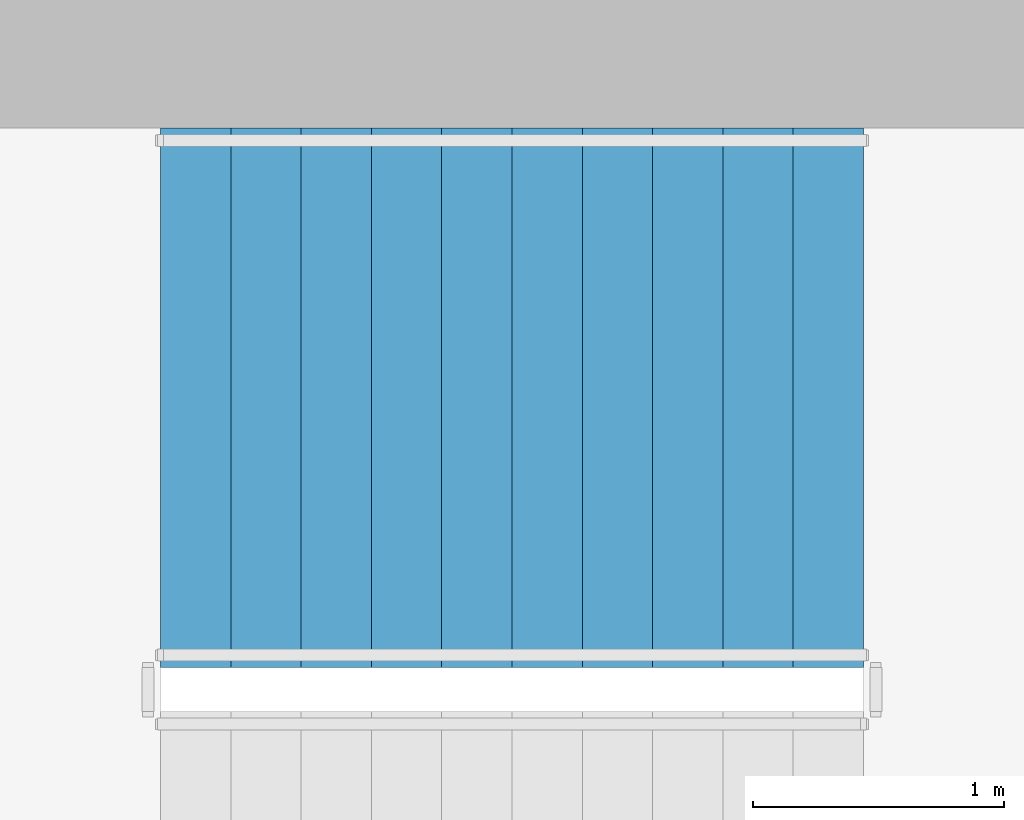
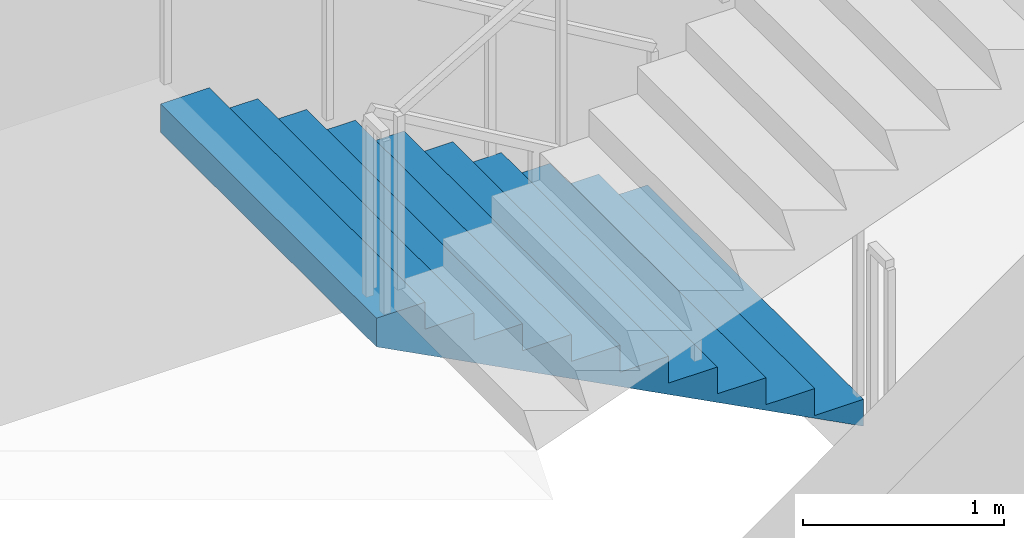
# One storey, part 11 of 19: 1 stair flight, 1 element without a shape of its own.
"""IFC4 building model written with IfcOpenShell, lengths in metres."""

import ifcopenshell
import ifcopenshell.guid

model = None  # the IFC model being written
_history = None  # IfcOwnerHistory: only IFC2X3 demands one
_inside = {}  # id of a spatial element -> (the spatial element, [elements in it])
_under = {}  # id of a project, library or spatial element -> (it, [spatial elements below it])
_declared = {}  # id of a project -> (the project, [libraries it declares])
_typed = {}  # id of a type object -> (the type object, [elements of that type])
_made_of = {}  # id of a material, layer set ... -> (it, [elements and type objects made of it])


def new_model(schema):
    """Start an empty IFC model of exactly this schema.

    Asked for "IFC4X3", IfcOpenShell would pick the latest addendum, in which some entities
    have other attributes; the version numbers below select the first issue.
    IFC2X3 requires an IfcOwnerHistory on every rooted entity: one is made here for all.
    """
    global model, _history
    if schema == "IFC4X3":
        model = ifcopenshell.file(schema_version=(4, 3, 0, 0))
    else:
        model = ifcopenshell.file(schema=schema)
    _inside.clear()
    _under.clear()
    _declared.clear()
    _typed.clear()
    _made_of.clear()
    _history = None
    if model.schema == "IFC2X3":
        org = make("IfcOrganization", Name="unknown")
        user = make(
            "IfcPersonAndOrganization",
            ThePerson=make("IfcPerson", FamilyName="unknown"),
            TheOrganization=org,
        )
        app = make(
            "IfcApplication",
            ApplicationDeveloper=org,
            Version="unknown",
            ApplicationFullName="unknown",
            ApplicationIdentifier="unknown",
        )
        _history = make(
            "IfcOwnerHistory",
            OwningUser=user,
            OwningApplication=app,
            ChangeAction="ADDED",
            CreationDate=0,
        )
    return model


def make(cls, **values):
    """One entity of the class cls with the attributes given. An attribute that is None is left unset."""
    return model.create_entity(
        cls, **{name: value for name, value in values.items() if value is not None}
    )


def rooted(cls, **values):
    """An entity with a GlobalId (a new one), such as an element, a storey or a relation."""
    return make(cls, GlobalId=ifcopenshell.guid.new(), OwnerHistory=_history, **values)


def si_unit(unit_type, name, prefix=None):
    """IfcSIUnit, for example si_unit("LENGTHUNIT", "METRE", prefix="MILLI")."""
    return make("IfcSIUnit", UnitType=unit_type, Prefix=prefix, Name=name)


def assignment(units):
    """IfcUnitAssignment: the units of a project."""
    return None if units is None else make("IfcUnitAssignment", Units=units)


def point(xyz):
    """IfcCartesianPoint."""
    return None if xyz is None else make("IfcCartesianPoint", Coordinates=xyz)


def direction(xyz):
    """IfcDirection."""
    return None if xyz is None else make("IfcDirection", DirectionRatios=xyz)


def frame(location, z_axis=None, x_axis=None):
    """IfcAxis2Placement3D, a coordinate frame: its origin and axes. An axis left out is left unset."""
    return make(
        "IfcAxis2Placement3D",
        Location=point(location),
        Axis=direction(z_axis),
        RefDirection=direction(x_axis),
    )


def origin():
    """The frame at (0, 0, 0) with its axes left unset."""
    return frame((0.0, 0.0, 0.0))


def place(relative_to, where):
    """IfcLocalPlacement: puts the frame where relative to a parent placement (None: the world)."""
    return make(
        "IfcLocalPlacement", PlacementRelTo=relative_to, RelativePlacement=where
    )


def context(
    kind, dimensions, precision=None, world=None, true_north=None, identifier=None
):
    """IfcGeometricRepresentationContext, for example the 3D "Model" context."""
    return make(
        "IfcGeometricRepresentationContext",
        ContextIdentifier=identifier,
        ContextType=kind,
        CoordinateSpaceDimension=dimensions,
        Precision=precision,
        WorldCoordinateSystem=world,
        TrueNorth=true_north,
    )


def subcontext(parent, identifier, kind, view, scale=None):
    """IfcGeometricRepresentationSubContext, for example "Body" below "Model"."""
    return make(
        "IfcGeometricRepresentationSubContext",
        ContextIdentifier=identifier,
        ContextType=kind,
        ParentContext=parent,
        TargetScale=scale,
        TargetView=view,
    )


def project(units=None, contexts=None):
    """IfcProject with its units and contexts."""
    return rooted(
        "IfcProject",
        Name="project",
        RepresentationContexts=contexts,
        UnitsInContext=assignment(units),
    )


def spatial(cls, under=None, at=None, **own):
    """A site, building, storey or space (cls), placed at a placement, below another one or the project."""
    s = rooted(cls, ObjectPlacement=at, **own)
    if under is not None:
        _under.setdefault(under.id(), (under, []))[1].append(s)
    return s


def point_list(points):
    """IfcCartesianPointList2D or 3D."""
    cls = (
        "IfcCartesianPointList2D" if len(points[0]) == 2 else "IfcCartesianPointList3D"
    )
    return make(cls, CoordList=points)


def triangles(points, corners, closed=None, point_numbers=None):
    """IfcTriangulatedFaceSet: each triangle names its three corners, points numbered from 1."""
    return make(
        "IfcTriangulatedFaceSet",
        Coordinates=point_list(points),
        Closed=closed,
        CoordIndex=corners,
        PnIndex=point_numbers,
    )


def shape(context_of_items, identifier, shape_type, items):
    """IfcShapeRepresentation: the items that make up one representation, for example the "Body"."""
    return make(
        "IfcShapeRepresentation",
        ContextOfItems=context_of_items,
        RepresentationIdentifier=identifier,
        RepresentationType=shape_type,
        Items=items,
    )


def material(Name=None, Category=None):
    """IfcMaterial."""
    return make("IfcMaterial", Name=Name, Category=Category)


def made_of(thing, what):
    """Note that an element or type object is made of a material, layer set ...; save() writes the relation."""
    if what is not None:
        _made_of.setdefault(what.id(), (what, []))[1].append(thing)
    return thing


def type_object(cls, material=None, **own):
    """A type object (cls), such as IfcWallType, which elements share."""
    return made_of(rooted(cls, **own), material)


def element(
    cls,
    number,
    at=None,
    inside=None,
    cuts=None,
    type_object=None,
    material=None,
    context=None,
    identifier="Body",
    shape_type=None,
    held_by="IfcProductDefinitionShape",
    body=None,
    shapes=None,
    **own,
):
    """One element of the class cls, such as IfcWall. Its Tag is "e" and its number.

    at: its placement. inside: the storey or other place that contains it. cuts: it is an
    opening in that element (IfcRelVoidsElement). A single representation is given by context,
    identifier, shape_type and body (its items); several are given by shapes. held_by: the class
    of the entity that holds the representations. save() writes the other relations.
    """
    e = rooted(cls, Tag="e%d" % number, ObjectPlacement=at, **own)
    if body is not None:
        shapes = [shape(context, identifier, shape_type, body)]
    if shapes is not None:
        e.Representation = make(held_by, Representations=shapes)
    if inside is not None:
        _inside.setdefault(inside.id(), (inside, []))[1].append(e)
    if cuts is not None:
        rooted(
            "IfcRelVoidsElement", RelatingBuildingElement=cuts, RelatedOpeningElement=e
        )
    if type_object is not None:
        _typed.setdefault(type_object.id(), (type_object, []))[1].append(e)
    return made_of(e, material)


def aggregate(whole, parts):
    """IfcRelAggregates: a whole, such as a stair, and the parts it consists of."""
    return rooted("IfcRelAggregates", RelatingObject=whole, RelatedObjects=parts)


def save(model, path):
    """Write the relations noted so far, then the file.

    IfcRelAggregates (storeys below a building ...), IfcRelContainedInSpatialStructure (elements
    in a storey), IfcRelDefinesByType, IfcRelAssociatesMaterial and IfcRelDeclares: one each for
    every whole, place, type object, material and project.
    """
    for whole, parts in _under.values():
        aggregate(whole, parts)
    for where, things in _inside.values():
        rooted(
            "IfcRelContainedInSpatialStructure",
            RelatedElements=things,
            RelatingStructure=where,
        )
    for kind, things in _typed.values():
        rooted("IfcRelDefinesByType", RelatedObjects=things, RelatingType=kind)
    for what, things in _made_of.values():
        rooted("IfcRelAssociatesMaterial", RelatedObjects=things, RelatingMaterial=what)
    for by, libraries in _declared.values():
        rooted("IfcRelDeclares", RelatingContext=by, RelatedDefinitions=libraries)
    model.write(path)


model = new_model("IFC4")

# Units and contexts
model_context = context("Model", 3, precision=1e-05, world=origin(), true_north=direction((0.0, 1.0)))
body_context = subcontext(model_context, "Body", "Model", "MODEL_VIEW")
ifc_project = project(units=[si_unit("LENGTHUNIT", "METRE"), si_unit("AREAUNIT", "SQUARE_METRE"), si_unit("VOLUMEUNIT", "CUBIC_METRE"), si_unit("PLANEANGLEUNIT", "RADIAN"), si_unit("MASSUNIT", "GRAM", prefix="KILO")], contexts=[model_context])

# Site, building, storey
site_placement = place(None, origin())
site = spatial("IfcSite", under=ifc_project, at=site_placement, CompositionType="ELEMENT")
building_placement = place(site_placement, origin())
building = spatial("IfcBuilding", under=site, at=building_placement, Name="Cypress Arch Tower", CompositionType="ELEMENT")
storey_placement = place(building_placement, frame((0.0, 0.0, 138.300048828125)))
storey = spatial("IfcBuildingStorey", under=building, at=storey_placement, Name="L30", CompositionType="ELEMENT", Elevation=138.300048828125)

# Stair, stair flight
ifc_material_1 = material(Name="Concrete C40/50", Category="concrete")
stair_type = type_object("IfcStairType", Name="Exit stair ES1636-215", PredefinedType="HALF_TURN_STAIR", material=ifc_material_1)
stair_placement = place(storey_placement, origin())
stair = element("IfcStair", 1, at=stair_placement, inside=storey, type_object=stair_type, Name="L30 Exit stair B", PredefinedType="HALF_TURN_STAIR")
ifc_material_2 = material(Name="Concrete C40/50", Category="concrete")
stair_flight_type = type_object("IfcStairFlightType", Name="Exit stair flight ES1636-215", PredefinedType="STRAIGHT", material=ifc_material_2)
stair_flight_placement = place(storey_placement, frame((-22.27490234375, 13.72509765625, 0.0), z_axis=(0.0, 0.0, 1.0), x_axis=(-1.0, 0.0, 0.0)))
stair_flight = element("IfcStairFlight", 2, at=stair_flight_placement, type_object=stair_flight_type, Name="B flight 1", NumberOfRisers=11, NumberOfTreads=10, PredefinedType="STRAIGHT", RiserHeight=0.163636364, TreadLength=0.28, context=body_context, shape_type="Tessellation", body=[
    triangles([(0.0, -1.074951171875, 0.0), (0.000244140625, -1.074951171875, 0.03271484375), (0.00048828125, -1.074951171875, 0.0654296875), (0.00048828125, -1.074951171875, 0.09814453125), (0.000244140625, -1.074951171875, 0.130859375), (0.0, -1.074951171875, 0.16357421875), (0.280029296875, -1.074951171875, 0.16357421875), (0.280029296875, -1.074951171875, 0.327392578125), (0.56005859375, -1.074951171875, 0.327392578125), (0.56005859375, -1.074951171875, 0.490966796875), (0.840087890625, -1.074951171875, 0.490966796875), (0.840087890625, -1.074951171875, 0.654541015625), (1.1201171875, -1.074951171875, 0.654541015625), (1.1201171875, -1.074951171875, 0.818115234375), (1.39990234375, -1.074951171875, 0.818115234375), (1.39990234375, -1.074951171875, 0.98193359375), (1.679931640625, -1.074951171875, 0.98193359375), (1.679931640625, -1.074951171875, 1.1455078125), (1.9599609375, -1.074951171875, 1.1455078125), (1.9599609375, -1.074951171875, 1.30908203125), (2.239990234375, -1.074951171875, 1.30908203125), (2.239990234375, -1.074951171875, 1.47265625), (2.52001953125, -1.074951171875, 1.47265625), (2.52001953125, -1.074951171875, 1.636474609375), (2.800048828125, -1.074951171875, 1.636474609375), (2.7998046875, -1.074951171875, 1.601806640625), (2.799560546875, -1.074951171875, 1.56689453125), (2.799560546875, -1.074951171875, 1.5322265625), (2.7998046875, -1.074951171875, 1.497314453125), (2.800048828125, -1.074951171875, 1.462646484375), (2.800048828125, 1.074951171875, 1.462646484375), (2.7998046875, 1.074951171875, 1.497314453125), (2.799560546875, 1.074951171875, 1.5322265625), (2.799560546875, 1.074951171875, 1.56689453125), (2.7998046875, 1.074951171875, 1.601806640625), (2.800048828125, 1.074951171875, 1.636474609375), (2.52001953125, 1.074951171875, 1.636474609375), (2.52001953125, 1.074951171875, 1.47265625), (2.239990234375, 1.074951171875, 1.47265625), (2.239990234375, 1.074951171875, 1.30908203125), (1.9599609375, 1.074951171875, 1.30908203125), (1.9599609375, 1.074951171875, 1.1455078125), (1.679931640625, 1.074951171875, 1.1455078125), (1.679931640625, 1.074951171875, 0.98193359375), (1.39990234375, 1.074951171875, 0.98193359375), (1.39990234375, 1.074951171875, 0.818115234375), (1.1201171875, 1.074951171875, 0.818115234375), (1.1201171875, 1.074951171875, 0.654541015625), (0.840087890625, 1.074951171875, 0.654541015625), (0.840087890625, 1.074951171875, 0.490966796875), (0.56005859375, 1.074951171875, 0.490966796875), (0.56005859375, 1.074951171875, 0.327392578125), (0.280029296875, 1.074951171875, 0.327392578125), (0.280029296875, 1.074951171875, 0.16357421875), (0.0, 1.074951171875, 0.16357421875), (0.000244140625, 1.074951171875, 0.130859375), (0.00048828125, 1.074951171875, 0.09814453125), (0.00048828125, 1.074951171875, 0.0654296875), (0.000244140625, 1.074951171875, 0.03271484375), (0.0, 1.074951171875, 0.0), (2.7998046875, 0.0, 1.497314453125), (2.800048828125, 0.0, 1.462646484375), (2.799560546875, 0.0, 1.5322265625), (2.799560546875, 0.0, 1.56689453125), (2.7998046875, 0.0, 1.601806640625), (2.800048828125, 0.0, 1.636474609375), (2.52001953125, 0.0, 1.636474609375), (2.52001953125, 0.0, 1.47265625), (2.239990234375, 0.0, 1.47265625), (2.239990234375, 0.0, 1.30908203125), (1.9599609375, 0.0, 1.30908203125), (1.9599609375, 0.0, 1.1455078125), (1.679931640625, 0.0, 1.1455078125), (1.679931640625, 0.0, 0.98193359375), (1.39990234375, 0.0, 0.98193359375), (1.39990234375, 0.0, 0.818115234375), (1.1201171875, 0.0, 0.818115234375), (1.1201171875, 0.0, 0.654541015625), (0.840087890625, 0.0, 0.654541015625), (0.840087890625, 0.0, 0.490966796875), (0.56005859375, 0.0, 0.490966796875), (0.56005859375, 0.0, 0.327392578125), (0.280029296875, 0.0, 0.327392578125), (0.280029296875, 0.0, 0.16357421875), (0.0, 0.0, 0.16357421875), (0.000244140625, 0.0, 0.130859375), (0.00048828125, 0.0, 0.09814453125), (0.00048828125, 0.0, 0.0654296875), (0.000244140625, 0.0, 0.03271484375), (0.0, 0.0, 0.0)], [[30, 29, 24], [29, 28, 24], [28, 27, 24], [27, 26, 24], [26, 25, 24], [17, 16, 15], [9, 8, 7], [15, 14, 13], [23, 22, 21], [21, 20, 19], [19, 18, 17], [13, 12, 11], [11, 10, 9], [6, 5, 7], [5, 4, 7], [4, 3, 7], [3, 2, 7], [2, 1, 7], [30, 24, 23], [30, 23, 21], [30, 21, 19], [30, 19, 17], [30, 17, 15], [30, 15, 13], [30, 13, 11], [30, 11, 9], [30, 9, 7], [30, 7, 1], [31, 37, 32], [32, 37, 33], [33, 37, 34], [34, 37, 35], [35, 37, 36], [44, 46, 45], [52, 54, 53], [46, 48, 47], [38, 40, 39], [40, 42, 41], [42, 44, 43], [48, 50, 49], [50, 52, 51], [55, 54, 56], [56, 54, 57], [57, 54, 58], [58, 54, 59], [59, 54, 60], [31, 38, 37], [31, 40, 38], [31, 42, 40], [31, 44, 42], [31, 46, 44], [31, 48, 46], [31, 50, 48], [31, 52, 50], [31, 54, 52], [31, 60, 54], [62, 61, 29], [62, 29, 30], [31, 32, 61], [31, 61, 62], [61, 63, 28], [61, 28, 29], [32, 33, 63], [32, 63, 61], [63, 64, 27], [63, 27, 28], [33, 34, 64], [33, 64, 63], [64, 65, 26], [64, 26, 27], [34, 35, 65], [34, 65, 64], [65, 66, 25], [65, 25, 26], [35, 36, 66], [35, 66, 65], [66, 67, 24], [66, 24, 25], [36, 37, 67], [36, 67, 66], [67, 68, 23], [67, 23, 24], [37, 38, 68], [37, 68, 67], [68, 69, 22], [68, 22, 23], [38, 39, 69], [38, 69, 68], [69, 70, 21], [69, 21, 22], [39, 40, 70], [39, 70, 69], [70, 71, 20], [70, 20, 21], [40, 41, 71], [40, 71, 70], [71, 72, 19], [71, 19, 20], [41, 42, 72], [41, 72, 71], [72, 73, 18], [72, 18, 19], [42, 43, 73], [42, 73, 72], [73, 74, 17], [73, 17, 18], [43, 44, 74], [43, 74, 73], [74, 75, 16], [74, 16, 17], [44, 45, 75], [44, 75, 74], [75, 76, 15], [75, 15, 16], [45, 46, 76], [45, 76, 75], [76, 77, 14], [76, 14, 15], [46, 47, 77], [46, 77, 76], [77, 78, 13], [77, 13, 14], [47, 48, 78], [47, 78, 77], [78, 79, 12], [78, 12, 13], [48, 49, 79], [48, 79, 78], [79, 80, 11], [79, 11, 12], [49, 50, 80], [49, 80, 79], [80, 81, 10], [80, 10, 11], [50, 51, 81], [50, 81, 80], [81, 82, 9], [81, 9, 10], [51, 52, 82], [51, 82, 81], [82, 83, 8], [82, 8, 9], [52, 53, 83], [52, 83, 82], [83, 84, 7], [83, 7, 8], [53, 54, 84], [53, 84, 83], [84, 85, 6], [84, 6, 7], [54, 55, 85], [54, 85, 84], [85, 86, 5], [85, 5, 6], [55, 56, 86], [55, 86, 85], [86, 87, 4], [86, 4, 5], [56, 57, 87], [56, 87, 86], [87, 88, 3], [87, 3, 4], [57, 58, 88], [57, 88, 87], [88, 89, 2], [88, 2, 3], [58, 59, 89], [58, 89, 88], [89, 90, 1], [89, 1, 2], [59, 60, 90], [59, 90, 89], [90, 62, 30], [90, 30, 1], [60, 31, 62], [60, 62, 90]], closed=True),
])
aggregate(stair, [stair_flight])

save(model, "model.ifc")
